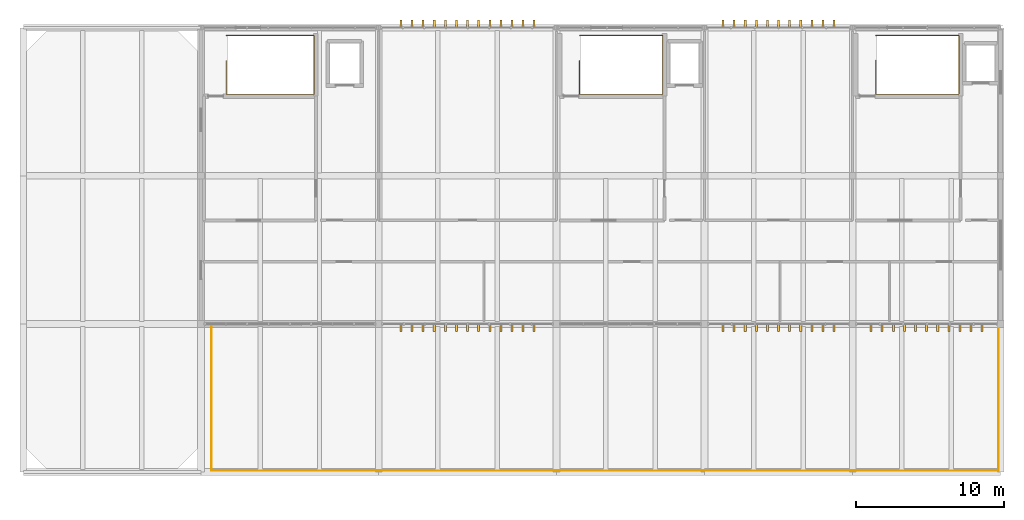
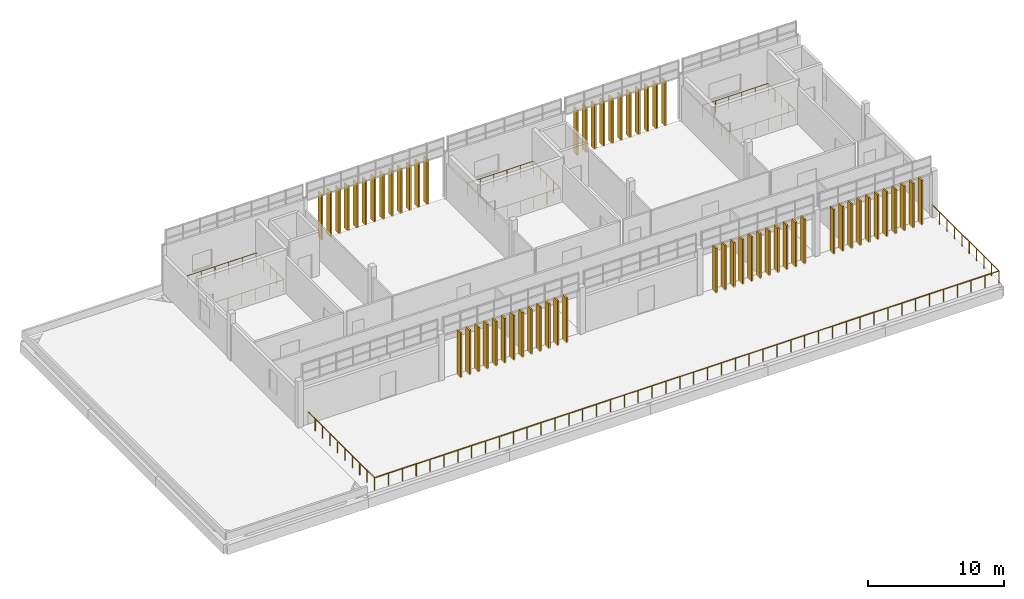
# One storey, part 36 of 36: 59 shading devices, 4 railings.
"""IFC4 building model written with IfcOpenShell, lengths in metres."""

from ifc_helpers import new_model, si_unit, direction, frame, origin, origin_2d, place, context, subcontext, project, spatial, rectangle, circle, extrude, material, type_object, element, save


model = new_model("IFC4")

# Units and contexts
model_context = context("Model", 3, precision=1e-05, world=origin(), true_north=direction((0.0, 1.0)))
body_context = subcontext(model_context, "Body", "Model", "MODEL_VIEW")
ifc_project = project(units=[si_unit("LENGTHUNIT", "METRE"), si_unit("AREAUNIT", "SQUARE_METRE"), si_unit("VOLUMEUNIT", "CUBIC_METRE"), si_unit("PLANEANGLEUNIT", "RADIAN"), si_unit("MASSUNIT", "GRAM", prefix="KILO")], contexts=[model_context])

# Site, building, storey
site_placement = place(None, origin())
site = spatial("IfcSite", under=ifc_project, at=site_placement, CompositionType="ELEMENT")
building_placement = place(site_placement, origin())
building = spatial("IfcBuilding", under=site, at=building_placement, Name="Mersad Railyard Sports Hall", CompositionType="ELEMENT")
storey_placement = place(building_placement, frame((0.0, 0.0, 21.60009765625)))
storey = spatial("IfcBuildingStorey", under=building, at=storey_placement, Name="L05", CompositionType="ELEMENT", Elevation=21.60009765625)

# Railings
ifc_material_1 = material(Name="Steel S355", Category="steel")
railing_type = type_object("IfcRailingType", Name="ARC-RL-GR01", PredefinedType="GUARDRAIL", material=ifc_material_1)
railing_1_placement = place(storey_placement, frame((67.699951171875, 94.949951171875, 0.0)))
element("IfcRailing", 1, at=railing_1_placement, inside=storey, type_object=railing_type, Name="Perimeter guard GR01-0008", PredefinedType="GUARDRAIL", context=body_context, shape_type="SweptSolid", body=[
    extrude(circle(Radius=0.02392578125, at=origin_2d()), frame((0.0, 0.0, 1.09619140625), z_axis=(0.0, -1.0, 0.0), x_axis=(1.0, 0.0, 0.0)), (0.0, 0.0, 1.0), 9.849853515625),
    extrude(circle(Radius=0.02392578125, at=origin_2d()), frame((0.0, -9.849853515625, 1.09619140625), z_axis=(1.0, 0.0, 0.0), x_axis=(0.0, 1.0, 0.0)), (0.0, 0.0, 1.0), 53.150146484375),
    extrude(circle(Radius=0.02392578125, at=origin_2d()), frame((53.150146484375, -9.849853515625, 1.09619140625), z_axis=(0.0, 1.0, 0.0), x_axis=(-1.0, 0.0, 0.0)), (0.0, 0.0, 1.0), 9.849853515625),
    extrude(circle(Radius=0.02099609375, at=origin_2d()), origin(), (0.0, 0.0, 1.0), 1.072021484375),
    extrude(circle(Radius=0.02099609375, at=origin_2d()), frame((0.0, -1.094482421875, 0.0)), (0.0, 0.0, 1.0), 1.072021484375),
    extrude(circle(Radius=0.02099609375, at=origin_2d()), frame((0.0, -2.18896484375, 0.0)), (0.0, 0.0, 1.0), 1.072021484375),
    extrude(circle(Radius=0.02099609375, at=origin_2d()), frame((0.0, -3.283203125, 0.0)), (0.0, 0.0, 1.0), 1.072021484375),
    extrude(circle(Radius=0.02099609375, at=origin_2d()), frame((0.0, -4.377685546875, 0.0)), (0.0, 0.0, 1.0), 1.072021484375),
    extrude(circle(Radius=0.02099609375, at=origin_2d()), frame((0.0, -5.47216796875, 0.0)), (0.0, 0.0, 1.0), 1.072021484375),
    extrude(circle(Radius=0.02099609375, at=origin_2d()), frame((0.0, -6.566650390625, 0.0)), (0.0, 0.0, 1.0), 1.072021484375),
    extrude(circle(Radius=0.02099609375, at=origin_2d()), frame((0.0, -7.660888671875, 0.0)), (0.0, 0.0, 1.0), 1.072021484375),
    extrude(circle(Radius=0.02099609375, at=origin_2d()), frame((0.0, -8.75537109375, 0.0)), (0.0, 0.0, 1.0), 1.072021484375),
    extrude(circle(Radius=0.02099609375, at=origin_2d()), frame((0.0, -9.849853515625, 0.0)), (0.0, 0.0, 1.0), 1.072021484375),
    extrude(circle(Radius=0.02099609375, at=origin_2d()), frame((1.18115234375, -9.849853515625, 0.0)), (0.0, 0.0, 1.0), 1.072021484375),
    extrude(circle(Radius=0.02099609375, at=origin_2d()), frame((2.3623046875, -9.849853515625, 0.0)), (0.0, 0.0, 1.0), 1.072021484375),
    extrude(circle(Radius=0.02099609375, at=origin_2d()), frame((3.54345703125, -9.849853515625, 0.0)), (0.0, 0.0, 1.0), 1.072021484375),
    extrude(circle(Radius=0.02099609375, at=origin_2d()), frame((4.724365234375, -9.849853515625, 0.0)), (0.0, 0.0, 1.0), 1.072021484375),
    extrude(circle(Radius=0.02099609375, at=origin_2d()), frame((5.905517578125, -9.849853515625, 0.0)), (0.0, 0.0, 1.0), 1.072021484375),
    extrude(circle(Radius=0.02099609375, at=origin_2d()), frame((7.086669921875, -9.849853515625, 0.0)), (0.0, 0.0, 1.0), 1.072021484375),
    extrude(circle(Radius=0.02099609375, at=origin_2d()), frame((8.267822265625, -9.849853515625, 0.0)), (0.0, 0.0, 1.0), 1.072021484375),
    extrude(circle(Radius=0.02099609375, at=origin_2d()), frame((9.448974609375, -9.849853515625, 0.0)), (0.0, 0.0, 1.0), 1.072021484375),
    extrude(circle(Radius=0.02099609375, at=origin_2d()), frame((10.630126953125, -9.849853515625, 0.0)), (0.0, 0.0, 1.0), 1.072021484375),
    extrude(circle(Radius=0.02099609375, at=origin_2d()), frame((11.81103515625, -9.849853515625, 0.0)), (0.0, 0.0, 1.0), 1.072021484375),
    extrude(circle(Radius=0.02099609375, at=origin_2d()), frame((12.9921875, -9.849853515625, 0.0)), (0.0, 0.0, 1.0), 1.072021484375),
    extrude(circle(Radius=0.02099609375, at=origin_2d()), frame((14.17333984375, -9.849853515625, 0.0)), (0.0, 0.0, 1.0), 1.072021484375),
    extrude(circle(Radius=0.02099609375, at=origin_2d()), frame((15.3544921875, -9.849853515625, 0.0)), (0.0, 0.0, 1.0), 1.072021484375),
    extrude(circle(Radius=0.02099609375, at=origin_2d()), frame((16.53564453125, -9.849853515625, 0.0)), (0.0, 0.0, 1.0), 1.072021484375),
    extrude(circle(Radius=0.02099609375, at=origin_2d()), frame((17.716796875, -9.849853515625, 0.0)), (0.0, 0.0, 1.0), 1.072021484375),
    extrude(circle(Radius=0.02099609375, at=origin_2d()), frame((18.89794921875, -9.849853515625, 0.0)), (0.0, 0.0, 1.0), 1.072021484375),
    extrude(circle(Radius=0.02099609375, at=origin_2d()), frame((20.078857421875, -9.849853515625, 0.0)), (0.0, 0.0, 1.0), 1.072021484375),
    extrude(circle(Radius=0.02099609375, at=origin_2d()), frame((21.260009765625, -9.849853515625, 0.0)), (0.0, 0.0, 1.0), 1.072021484375),
    extrude(circle(Radius=0.02099609375, at=origin_2d()), frame((22.441162109375, -9.849853515625, 0.0)), (0.0, 0.0, 1.0), 1.072021484375),
    extrude(circle(Radius=0.02099609375, at=origin_2d()), frame((23.622314453125, -9.849853515625, 0.0)), (0.0, 0.0, 1.0), 1.072021484375),
    extrude(circle(Radius=0.02099609375, at=origin_2d()), frame((24.803466796875, -9.849853515625, 0.0)), (0.0, 0.0, 1.0), 1.072021484375),
    extrude(circle(Radius=0.02099609375, at=origin_2d()), frame((25.984619140625, -9.849853515625, 0.0)), (0.0, 0.0, 1.0), 1.072021484375),
    extrude(circle(Radius=0.02099609375, at=origin_2d()), frame((27.16552734375, -9.849853515625, 0.0)), (0.0, 0.0, 1.0), 1.072021484375),
    extrude(circle(Radius=0.02099609375, at=origin_2d()), frame((28.3466796875, -9.849853515625, 0.0)), (0.0, 0.0, 1.0), 1.072021484375),
    extrude(circle(Radius=0.02099609375, at=origin_2d()), frame((29.52783203125, -9.849853515625, 0.0)), (0.0, 0.0, 1.0), 1.072021484375),
    extrude(circle(Radius=0.02099609375, at=origin_2d()), frame((30.708984375, -9.849853515625, 0.0)), (0.0, 0.0, 1.0), 1.072021484375),
    extrude(circle(Radius=0.02099609375, at=origin_2d()), frame((31.89013671875, -9.849853515625, 0.0)), (0.0, 0.0, 1.0), 1.072021484375),
    extrude(circle(Radius=0.02099609375, at=origin_2d()), frame((33.0712890625, -9.849853515625, 0.0)), (0.0, 0.0, 1.0), 1.072021484375),
    extrude(circle(Radius=0.02099609375, at=origin_2d()), frame((34.252197265625, -9.849853515625, 0.0)), (0.0, 0.0, 1.0), 1.072021484375),
    extrude(circle(Radius=0.02099609375, at=origin_2d()), frame((35.433349609375, -9.849853515625, 0.0)), (0.0, 0.0, 1.0), 1.072021484375),
    extrude(circle(Radius=0.02099609375, at=origin_2d()), frame((36.614501953125, -9.849853515625, 0.0)), (0.0, 0.0, 1.0), 1.072021484375),
    extrude(circle(Radius=0.02099609375, at=origin_2d()), frame((37.795654296875, -9.849853515625, 0.0)), (0.0, 0.0, 1.0), 1.072021484375),
    extrude(circle(Radius=0.02099609375, at=origin_2d()), frame((38.976806640625, -9.849853515625, 0.0)), (0.0, 0.0, 1.0), 1.072021484375),
    extrude(circle(Radius=0.02099609375, at=origin_2d()), frame((40.157958984375, -9.849853515625, 0.0)), (0.0, 0.0, 1.0), 1.072021484375),
    extrude(circle(Radius=0.02099609375, at=origin_2d()), frame((41.339111328125, -9.849853515625, 0.0)), (0.0, 0.0, 1.0), 1.072021484375),
    extrude(circle(Radius=0.02099609375, at=origin_2d()), frame((42.52001953125, -9.849853515625, 0.0)), (0.0, 0.0, 1.0), 1.072021484375),
    extrude(circle(Radius=0.02099609375, at=origin_2d()), frame((43.701171875, -9.849853515625, 0.0)), (0.0, 0.0, 1.0), 1.072021484375),
    extrude(circle(Radius=0.02099609375, at=origin_2d()), frame((44.88232421875, -9.849853515625, 0.0)), (0.0, 0.0, 1.0), 1.072021484375),
    extrude(circle(Radius=0.02099609375, at=origin_2d()), frame((46.0634765625, -9.849853515625, 0.0)), (0.0, 0.0, 1.0), 1.072021484375),
    extrude(circle(Radius=0.02099609375, at=origin_2d()), frame((47.24462890625, -9.849853515625, 0.0)), (0.0, 0.0, 1.0), 1.072021484375),
    extrude(circle(Radius=0.02099609375, at=origin_2d()), frame((48.42578125, -9.849853515625, 0.0)), (0.0, 0.0, 1.0), 1.072021484375),
    extrude(circle(Radius=0.02099609375, at=origin_2d()), frame((49.606689453125, -9.849853515625, 0.0)), (0.0, 0.0, 1.0), 1.072021484375),
    extrude(circle(Radius=0.02099609375, at=origin_2d()), frame((50.787841796875, -9.849853515625, 0.0)), (0.0, 0.0, 1.0), 1.072021484375),
    extrude(circle(Radius=0.02099609375, at=origin_2d()), frame((51.968994140625, -9.849853515625, 0.0)), (0.0, 0.0, 1.0), 1.072021484375),
    extrude(circle(Radius=0.02099609375, at=origin_2d()), frame((53.150146484375, -9.849853515625, 0.0)), (0.0, 0.0, 1.0), 1.072021484375),
    extrude(circle(Radius=0.02099609375, at=origin_2d()), frame((53.150146484375, -8.75537109375, 0.0)), (0.0, 0.0, 1.0), 1.072021484375),
    extrude(circle(Radius=0.02099609375, at=origin_2d()), frame((53.150146484375, -7.660888671875, 0.0)), (0.0, 0.0, 1.0), 1.072021484375),
    extrude(circle(Radius=0.02099609375, at=origin_2d()), frame((53.150146484375, -6.566650390625, 0.0)), (0.0, 0.0, 1.0), 1.072021484375),
    extrude(circle(Radius=0.02099609375, at=origin_2d()), frame((53.150146484375, -5.47216796875, 0.0)), (0.0, 0.0, 1.0), 1.072021484375),
    extrude(circle(Radius=0.02099609375, at=origin_2d()), frame((53.150146484375, -4.377685546875, 0.0)), (0.0, 0.0, 1.0), 1.072021484375),
    extrude(circle(Radius=0.02099609375, at=origin_2d()), frame((53.150146484375, -3.283203125, 0.0)), (0.0, 0.0, 1.0), 1.072021484375),
    extrude(circle(Radius=0.02099609375, at=origin_2d()), frame((53.150146484375, -2.18896484375, 0.0)), (0.0, 0.0, 1.0), 1.072021484375),
    extrude(circle(Radius=0.02099609375, at=origin_2d()), frame((53.150146484375, -1.094482421875, 0.0)), (0.0, 0.0, 1.0), 1.072021484375),
    extrude(circle(Radius=0.02099609375, at=origin_2d()), frame((53.150146484375, 0.0, 0.0)), (0.0, 0.0, 1.0), 1.072021484375),
])
railing_2_placement = place(storey_placement, frame((68.7099609375, 112.77001953125, 0.0)))
element("IfcRailing", 2, at=railing_2_placement, inside=storey, type_object=railing_type, Name="Interior guard GR01-0030", PredefinedType="GUARDRAIL", context=body_context, shape_type="SweptSolid", body=[
    extrude(circle(Radius=0.02392578125, at=origin_2d()), frame((0.0, 0.0, 1.09619140625), z_axis=(0.0, -1.0, 0.0), x_axis=(1.0, 0.0, 0.0)), (0.0, 0.0, 1.0), 2.25),
    extrude(circle(Radius=0.02392578125, at=origin_2d()), frame((0.0, -2.25, 1.09619140625), z_axis=(1.0, 0.0, 0.0), x_axis=(0.0, 1.0, 0.0)), (0.0, 0.0, 1.0), 5.919921875),
    extrude(circle(Radius=0.02392578125, at=origin_2d()), frame((5.919921875, -2.25, 1.09619140625), z_axis=(0.0, 1.0, 0.0), x_axis=(-1.0, 0.0, 0.0)), (0.0, 0.0, 1.0), 3.9599609375),
    extrude(circle(Radius=0.02392578125, at=origin_2d()), frame((5.919921875, 1.7099609375, 1.09619140625), z_axis=(-1.0, 0.0, 0.0), x_axis=(0.0, -1.0, 0.0)), (0.0, 0.0, 1.0), 5.919921875),
    extrude(circle(Radius=0.02099609375, at=origin_2d()), origin(), (0.0, 0.0, 1.0), 1.072021484375),
    extrude(circle(Radius=0.02099609375, at=origin_2d()), frame((0.0, -1.125, 0.0)), (0.0, 0.0, 1.0), 1.072021484375),
    extrude(circle(Radius=0.02099609375, at=origin_2d()), frame((0.0, -2.25, 0.0)), (0.0, 0.0, 1.0), 1.072021484375),
    extrude(circle(Radius=0.02099609375, at=origin_2d()), frame((1.18408203125, -2.25, 0.0)), (0.0, 0.0, 1.0), 1.072021484375),
    extrude(circle(Radius=0.02099609375, at=origin_2d()), frame((2.367919921875, -2.25, 0.0)), (0.0, 0.0, 1.0), 1.072021484375),
    extrude(circle(Radius=0.02099609375, at=origin_2d()), frame((3.552001953125, -2.25, 0.0)), (0.0, 0.0, 1.0), 1.072021484375),
    extrude(circle(Radius=0.02099609375, at=origin_2d()), frame((4.73583984375, -2.25, 0.0)), (0.0, 0.0, 1.0), 1.072021484375),
    extrude(circle(Radius=0.02099609375, at=origin_2d()), frame((5.919921875, -2.25, 0.0)), (0.0, 0.0, 1.0), 1.072021484375),
    extrude(circle(Radius=0.02099609375, at=origin_2d()), frame((5.919921875, -1.260009765625, 0.0)), (0.0, 0.0, 1.0), 1.072021484375),
    extrude(circle(Radius=0.02099609375, at=origin_2d()), frame((5.919921875, -0.27001953125, 0.0)), (0.0, 0.0, 1.0), 1.072021484375),
    extrude(circle(Radius=0.02099609375, at=origin_2d()), frame((5.919921875, 0.719970703125, 0.0)), (0.0, 0.0, 1.0), 1.072021484375),
    extrude(circle(Radius=0.02099609375, at=origin_2d()), frame((5.919921875, 1.7099609375, 0.0)), (0.0, 0.0, 1.0), 1.072021484375),
    extrude(circle(Radius=0.02099609375, at=origin_2d()), frame((4.73583984375, 1.7099609375, 0.0)), (0.0, 0.0, 1.0), 1.072021484375),
    extrude(circle(Radius=0.02099609375, at=origin_2d()), frame((3.552001953125, 1.7099609375, 0.0)), (0.0, 0.0, 1.0), 1.072021484375),
    extrude(circle(Radius=0.02099609375, at=origin_2d()), frame((2.367919921875, 1.7099609375, 0.0)), (0.0, 0.0, 1.0), 1.072021484375),
    extrude(circle(Radius=0.02099609375, at=origin_2d()), frame((1.18408203125, 1.7099609375, 0.0)), (0.0, 0.0, 1.0), 1.072021484375),
    extrude(circle(Radius=0.02099609375, at=origin_2d()), frame((0.0, 1.7099609375, 0.0)), (0.0, 0.0, 1.0), 1.072021484375),
])
railing_3_placement = place(storey_placement, frame((92.56005859375, 112.77001953125, 0.0)))
element("IfcRailing", 3, at=railing_3_placement, inside=storey, type_object=railing_type, Name="Interior guard GR01-0060", PredefinedType="GUARDRAIL", context=body_context, shape_type="SweptSolid", body=[
    extrude(circle(Radius=0.02392578125, at=origin_2d()), frame((0.0, 0.0, 1.09619140625), z_axis=(0.0, -1.0, 0.0), x_axis=(1.0, 0.0, 0.0)), (0.0, 0.0, 1.0), 2.25),
    extrude(circle(Radius=0.02392578125, at=origin_2d()), frame((0.0, -2.25, 1.09619140625), z_axis=(1.0, 0.0, 0.0), x_axis=(0.0, 1.0, 0.0)), (0.0, 0.0, 1.0), 5.619873046875),
    extrude(circle(Radius=0.02392578125, at=origin_2d()), frame((5.619873046875, -2.25, 1.09619140625), z_axis=(0.0, 1.0, 0.0), x_axis=(-1.0, 0.0, 0.0)), (0.0, 0.0, 1.0), 3.9599609375),
    extrude(circle(Radius=0.02392578125, at=origin_2d()), frame((5.619873046875, 1.7099609375, 1.09619140625), z_axis=(-1.0, 0.0, 0.0), x_axis=(0.0, -1.0, 0.0)), (0.0, 0.0, 1.0), 5.619873046875),
    extrude(circle(Radius=0.02099609375, at=origin_2d()), origin(), (0.0, 0.0, 1.0), 1.072021484375),
    extrude(circle(Radius=0.02099609375, at=origin_2d()), frame((0.0, -1.125, 0.0)), (0.0, 0.0, 1.0), 1.072021484375),
    extrude(circle(Radius=0.02099609375, at=origin_2d()), frame((0.0, -2.25, 0.0)), (0.0, 0.0, 1.0), 1.072021484375),
    extrude(circle(Radius=0.02099609375, at=origin_2d()), frame((1.1240234375, -2.25, 0.0)), (0.0, 0.0, 1.0), 1.072021484375),
    extrude(circle(Radius=0.02099609375, at=origin_2d()), frame((2.248046875, -2.25, 0.0)), (0.0, 0.0, 1.0), 1.072021484375),
    extrude(circle(Radius=0.02099609375, at=origin_2d()), frame((3.371826171875, -2.25, 0.0)), (0.0, 0.0, 1.0), 1.072021484375),
    extrude(circle(Radius=0.02099609375, at=origin_2d()), frame((4.495849609375, -2.25, 0.0)), (0.0, 0.0, 1.0), 1.072021484375),
    extrude(circle(Radius=0.02099609375, at=origin_2d()), frame((5.619873046875, -2.25, 0.0)), (0.0, 0.0, 1.0), 1.072021484375),
    extrude(circle(Radius=0.02099609375, at=origin_2d()), frame((5.619873046875, -1.260009765625, 0.0)), (0.0, 0.0, 1.0), 1.072021484375),
    extrude(circle(Radius=0.02099609375, at=origin_2d()), frame((5.619873046875, -0.27001953125, 0.0)), (0.0, 0.0, 1.0), 1.072021484375),
    extrude(circle(Radius=0.02099609375, at=origin_2d()), frame((5.619873046875, 0.719970703125, 0.0)), (0.0, 0.0, 1.0), 1.072021484375),
    extrude(circle(Radius=0.02099609375, at=origin_2d()), frame((5.619873046875, 1.7099609375, 0.0)), (0.0, 0.0, 1.0), 1.072021484375),
    extrude(circle(Radius=0.02099609375, at=origin_2d()), frame((4.495849609375, 1.7099609375, 0.0)), (0.0, 0.0, 1.0), 1.072021484375),
    extrude(circle(Radius=0.02099609375, at=origin_2d()), frame((3.371826171875, 1.7099609375, 0.0)), (0.0, 0.0, 1.0), 1.072021484375),
    extrude(circle(Radius=0.02099609375, at=origin_2d()), frame((2.248046875, 1.7099609375, 0.0)), (0.0, 0.0, 1.0), 1.072021484375),
    extrude(circle(Radius=0.02099609375, at=origin_2d()), frame((1.1240234375, 1.7099609375, 0.0)), (0.0, 0.0, 1.0), 1.072021484375),
    extrude(circle(Radius=0.02099609375, at=origin_2d()), frame((0.0, 1.7099609375, 0.0)), (0.0, 0.0, 1.0), 1.072021484375),
])
railing_4_placement = place(storey_placement, frame((112.56005859375, 112.81005859375, 0.0)))
element("IfcRailing", 4, at=railing_4_placement, inside=storey, type_object=railing_type, Name="Interior guard GR01-0090", PredefinedType="GUARDRAIL", context=body_context, shape_type="SweptSolid", body=[
    extrude(circle(Radius=0.02392578125, at=origin_2d()), frame((0.0, 0.0, 1.09619140625), z_axis=(0.0, -1.0, 0.0), x_axis=(1.0, 0.0, 0.0)), (0.0, 0.0, 1.0), 2.2900390625),
    extrude(circle(Radius=0.02392578125, at=origin_2d()), frame((0.0, -2.2900390625, 1.09619140625), z_axis=(1.0, 0.0, 0.0), x_axis=(0.0, 1.0, 0.0)), (0.0, 0.0, 1.0), 5.619873046875),
    extrude(circle(Radius=0.02392578125, at=origin_2d()), frame((5.619873046875, -2.2900390625, 1.09619140625), z_axis=(0.0, 1.0, 0.0), x_axis=(-1.0, 0.0, 0.0)), (0.0, 0.0, 1.0), 3.9599609375),
    extrude(circle(Radius=0.02392578125, at=origin_2d()), frame((5.619873046875, 1.669921875, 1.09619140625), z_axis=(-1.0, 0.0, 0.0), x_axis=(0.0, -1.0, 0.0)), (0.0, 0.0, 1.0), 5.619873046875),
    extrude(circle(Radius=0.02099609375, at=origin_2d()), origin(), (0.0, 0.0, 1.0), 1.072021484375),
    extrude(circle(Radius=0.02099609375, at=origin_2d()), frame((0.0, -1.14501953125, 0.0)), (0.0, 0.0, 1.0), 1.072021484375),
    extrude(circle(Radius=0.02099609375, at=origin_2d()), frame((0.0, -2.2900390625, 0.0)), (0.0, 0.0, 1.0), 1.072021484375),
    extrude(circle(Radius=0.02099609375, at=origin_2d()), frame((1.1240234375, -2.2900390625, 0.0)), (0.0, 0.0, 1.0), 1.072021484375),
    extrude(circle(Radius=0.02099609375, at=origin_2d()), frame((2.248046875, -2.2900390625, 0.0)), (0.0, 0.0, 1.0), 1.072021484375),
    extrude(circle(Radius=0.02099609375, at=origin_2d()), frame((3.371826171875, -2.2900390625, 0.0)), (0.0, 0.0, 1.0), 1.072021484375),
    extrude(circle(Radius=0.02099609375, at=origin_2d()), frame((4.495849609375, -2.2900390625, 0.0)), (0.0, 0.0, 1.0), 1.072021484375),
    extrude(circle(Radius=0.02099609375, at=origin_2d()), frame((5.619873046875, -2.2900390625, 0.0)), (0.0, 0.0, 1.0), 1.072021484375),
    extrude(circle(Radius=0.02099609375, at=origin_2d()), frame((5.619873046875, -1.300048828125, 0.0)), (0.0, 0.0, 1.0), 1.072021484375),
    extrude(circle(Radius=0.02099609375, at=origin_2d()), frame((5.619873046875, -0.31005859375, 0.0)), (0.0, 0.0, 1.0), 1.072021484375),
    extrude(circle(Radius=0.02099609375, at=origin_2d()), frame((5.619873046875, 0.679931640625, 0.0)), (0.0, 0.0, 1.0), 1.072021484375),
    extrude(circle(Radius=0.02099609375, at=origin_2d()), frame((5.619873046875, 1.669921875, 0.0)), (0.0, 0.0, 1.0), 1.072021484375),
    extrude(circle(Radius=0.02099609375, at=origin_2d()), frame((4.495849609375, 1.669921875, 0.0)), (0.0, 0.0, 1.0), 1.072021484375),
    extrude(circle(Radius=0.02099609375, at=origin_2d()), frame((3.371826171875, 1.669921875, 0.0)), (0.0, 0.0, 1.0), 1.072021484375),
    extrude(circle(Radius=0.02099609375, at=origin_2d()), frame((2.248046875, 1.669921875, 0.0)), (0.0, 0.0, 1.0), 1.072021484375),
    extrude(circle(Radius=0.02099609375, at=origin_2d()), frame((1.1240234375, 1.669921875, 0.0)), (0.0, 0.0, 1.0), 1.072021484375),
    extrude(circle(Radius=0.02099609375, at=origin_2d()), frame((0.0, 1.669921875, 0.0)), (0.0, 0.0, 1.0), 1.072021484375),
])

# Shading devices
ifc_material_2 = material(Name="Precast concrete C45/55", Category="concrete")
shading_device_type = type_object("IfcShadingDeviceType", Name="ARC-SH-FN01", PredefinedType="USERDEFINED", material=ifc_material_2)
for number, where, z_axis, x_axis, name in (
    (5, (80.5, 115.25, -0.10009765625), (0.0, 0.0, 1.0), (1.0, 0.0, 0.0), "Precast sun fin FN01-0721"),
    (6, (81.25, 115.25, -0.10009765625), (0.0, 0.0, 1.0), (1.0, 0.0, 0.0), "Precast sun fin FN01-0722"),
    (7, (82.0, 115.25, -0.10009765625), (0.0, 0.0, 1.0), (1.0, 0.0, 0.0), "Precast sun fin FN01-0723"),
    (8, (82.75, 115.25, -0.10009765625), (0.0, 0.0, 1.0), (1.0, 0.0, 0.0), "Precast sun fin FN01-0724"),
    (9, (83.5, 115.25, -0.10009765625), (0.0, 0.0, 1.0), (1.0, 0.0, 0.0), "Precast sun fin FN01-0725"),
    (10, (84.25, 115.25, -0.10009765625), (0.0, 0.0, 1.0), (1.0, 0.0, 0.0), "Precast sun fin FN01-0726"),
    (11, (85.0, 115.25, -0.10009765625), (0.0, 0.0, 1.0), (1.0, 0.0, 0.0), "Precast sun fin FN01-0727"),
    (12, (85.75, 115.25, -0.10009765625), (0.0, 0.0, 1.0), (1.0, 0.0, 0.0), "Precast sun fin FN01-0728"),
    (13, (86.5, 115.25, -0.10009765625), (0.0, 0.0, 1.0), (1.0, 0.0, 0.0), "Precast sun fin FN01-0729"),
    (14, (87.25, 115.25, -0.10009765625), (0.0, 0.0, 1.0), (1.0, 0.0, 0.0), "Precast sun fin FN01-0730"),
    (15, (88.0, 115.25, -0.10009765625), (0.0, 0.0, 1.0), (1.0, 0.0, 0.0), "Precast sun fin FN01-0731"),
    (16, (88.75, 115.25, -0.10009765625), (0.0, 0.0, 1.0), (1.0, 0.0, 0.0), "Precast sun fin FN01-0732"),
    (17, (89.5, 115.25, -0.10009765625), (0.0, 0.0, 1.0), (1.0, 0.0, 0.0), "Precast sun fin FN01-0733"),
    (18, (102.25, 115.25, -0.10009765625), (0.0, 0.0, 1.0), (1.0, 0.0, 0.0), "Precast sun fin FN01-0734"),
    (19, (103.0, 115.25, -0.10009765625), (0.0, 0.0, 1.0), (1.0, 0.0, 0.0), "Precast sun fin FN01-0735"),
    (20, (103.75, 115.25, -0.10009765625), (0.0, 0.0, 1.0), (1.0, 0.0, 0.0), "Precast sun fin FN01-0736"),
    (21, (104.5, 115.25, -0.10009765625), (0.0, 0.0, 1.0), (1.0, 0.0, 0.0), "Precast sun fin FN01-0737"),
    (22, (105.25, 115.25, -0.10009765625), (0.0, 0.0, 1.0), (1.0, 0.0, 0.0), "Precast sun fin FN01-0738"),
    (23, (106.0, 115.25, -0.10009765625), (0.0, 0.0, 1.0), (1.0, 0.0, 0.0), "Precast sun fin FN01-0739"),
    (24, (106.75, 115.25, -0.10009765625), (0.0, 0.0, 1.0), (1.0, 0.0, 0.0), "Precast sun fin FN01-0740"),
    (25, (107.5, 115.25, -0.10009765625), (0.0, 0.0, 1.0), (1.0, 0.0, 0.0), "Precast sun fin FN01-0741"),
    (26, (108.25, 115.25, -0.10009765625), (0.0, 0.0, 1.0), (1.0, 0.0, 0.0), "Precast sun fin FN01-0742"),
    (27, (109.0, 115.25, -0.10009765625), (0.0, 0.0, 1.0), (1.0, 0.0, 0.0), "Precast sun fin FN01-0743"),
    (28, (109.75, 115.25, -0.10009765625), (0.0, 0.0, 1.0), (1.0, 0.0, 0.0), "Precast sun fin FN01-0744"),
    (29, (80.5, 94.75, -0.10009765625), (0.0, 0.0, 1.0), (1.0, 0.0, 0.0), "Precast sun fin FN01-0745"),
    (30, (81.25, 94.75, -0.10009765625), (0.0, 0.0, 1.0), (1.0, 0.0, 0.0), "Precast sun fin FN01-0746"),
    (31, (82.0, 94.75, -0.10009765625), (0.0, 0.0, 1.0), (1.0, 0.0, 0.0), "Precast sun fin FN01-0747"),
    (32, (82.75, 94.75, -0.10009765625), (0.0, 0.0, 1.0), (1.0, 0.0, 0.0), "Precast sun fin FN01-0748"),
    (33, (83.5, 94.75, -0.10009765625), (0.0, 0.0, 1.0), (1.0, 0.0, 0.0), "Precast sun fin FN01-0749"),
    (34, (84.25, 94.75, -0.10009765625), (0.0, 0.0, 1.0), (1.0, 0.0, 0.0), "Precast sun fin FN01-0750"),
    (35, (85.0, 94.75, -0.10009765625), (0.0, 0.0, 1.0), (1.0, 0.0, 0.0), "Precast sun fin FN01-0751"),
    (36, (85.75, 94.75, -0.10009765625), (0.0, 0.0, 1.0), (1.0, 0.0, 0.0), "Precast sun fin FN01-0752"),
    (37, (86.5, 94.75, -0.10009765625), (0.0, 0.0, 1.0), (1.0, 0.0, 0.0), "Precast sun fin FN01-0753"),
    (38, (87.25, 94.75, -0.10009765625), (0.0, 0.0, 1.0), (1.0, 0.0, 0.0), "Precast sun fin FN01-0754"),
    (39, (88.0, 94.75, -0.10009765625), (0.0, 0.0, 1.0), (1.0, 0.0, 0.0), "Precast sun fin FN01-0755"),
    (40, (88.75, 94.75, -0.10009765625), (0.0, 0.0, 1.0), (1.0, 0.0, 0.0), "Precast sun fin FN01-0756"),
    (41, (89.5, 94.75, -0.10009765625), (0.0, 0.0, 1.0), (1.0, 0.0, 0.0), "Precast sun fin FN01-0757"),
    (42, (102.25, 94.75, -0.10009765625), (0.0, 0.0, 1.0), (1.0, 0.0, 0.0), "Precast sun fin FN01-0758"),
    (43, (103.0, 94.75, -0.10009765625), (0.0, 0.0, 1.0), (1.0, 0.0, 0.0), "Precast sun fin FN01-0759"),
    (44, (103.75, 94.75, -0.10009765625), (0.0, 0.0, 1.0), (1.0, 0.0, 0.0), "Precast sun fin FN01-0760"),
    (45, (104.5, 94.75, -0.10009765625), (0.0, 0.0, 1.0), (1.0, 0.0, 0.0), "Precast sun fin FN01-0761"),
    (46, (105.25, 94.75, -0.10009765625), (0.0, 0.0, 1.0), (1.0, 0.0, 0.0), "Precast sun fin FN01-0762"),
    (47, (106.0, 94.75, -0.10009765625), (0.0, 0.0, 1.0), (1.0, 0.0, 0.0), "Precast sun fin FN01-0763"),
    (48, (106.75, 94.75, -0.10009765625), (0.0, 0.0, 1.0), (1.0, 0.0, 0.0), "Precast sun fin FN01-0764"),
    (49, (107.5, 94.75, -0.10009765625), (0.0, 0.0, 1.0), (1.0, 0.0, 0.0), "Precast sun fin FN01-0765"),
    (50, (108.25, 94.75, -0.10009765625), (0.0, 0.0, 1.0), (1.0, 0.0, 0.0), "Precast sun fin FN01-0766"),
    (51, (109.0, 94.75, -0.10009765625), (0.0, 0.0, 1.0), (1.0, 0.0, 0.0), "Precast sun fin FN01-0767"),
    (52, (109.75, 94.75, -0.10009765625), (0.0, 0.0, 1.0), (1.0, 0.0, 0.0), "Precast sun fin FN01-0768"),
    (53, (112.25, 94.75, -0.10009765625), (0.0, 0.0, 1.0), (1.0, 0.0, 0.0), "Precast sun fin FN01-0769"),
    (54, (113.0, 94.75, -0.10009765625), (0.0, 0.0, 1.0), (1.0, 0.0, 0.0), "Precast sun fin FN01-0770"),
    (55, (113.75, 94.75, -0.10009765625), (0.0, 0.0, 1.0), (1.0, 0.0, 0.0), "Precast sun fin FN01-0771"),
    (56, (114.5, 94.75, -0.10009765625), (0.0, 0.0, 1.0), (1.0, 0.0, 0.0), "Precast sun fin FN01-0772"),
    (57, (115.25, 94.75, -0.10009765625), (0.0, 0.0, 1.0), (1.0, 0.0, 0.0), "Precast sun fin FN01-0773"),
    (58, (116.0, 94.75, -0.10009765625), (0.0, 0.0, 1.0), (1.0, 0.0, 0.0), "Precast sun fin FN01-0774"),
    (59, (116.75, 94.75, -0.10009765625), (0.0, 0.0, 1.0), (1.0, 0.0, 0.0), "Precast sun fin FN01-0775"),
    (60, (117.5, 94.75, -0.10009765625), (0.0, 0.0, 1.0), (1.0, 0.0, 0.0), "Precast sun fin FN01-0776"),
    (61, (118.25, 94.75, -0.10009765625), (0.0, 0.0, 1.0), (1.0, 0.0, 0.0), "Precast sun fin FN01-0777"),
    (62, (119.0, 94.75, -0.10009765625), (0.0, 0.0, 1.0), (1.0, 0.0, 0.0), "Precast sun fin FN01-0778"),
    (63, (119.75, 94.75, -0.10009765625), (0.0, 0.0, 1.0), (1.0, 0.0, 0.0), "Precast sun fin FN01-0779"),
):
    element("IfcShadingDevice", number, at=place(storey_placement, frame(where, z_axis=z_axis, x_axis=x_axis)), inside=storey, type_object=shading_device_type, Name=name, ObjectType="FIN", PredefinedType="USERDEFINED", context=body_context, shape_type="SweptSolid", body=[
        extrude(rectangle(XDim=0.139892578125, YDim=0.550048828125, at=origin_2d()), origin(), (0.0, 0.0, 1.0), 4.050048828125),
    ])

save(model, "model.ifc")
